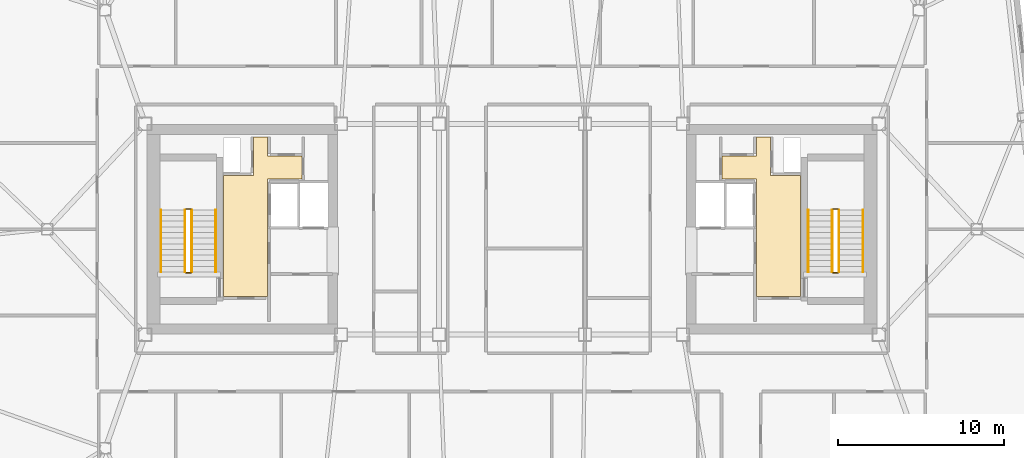
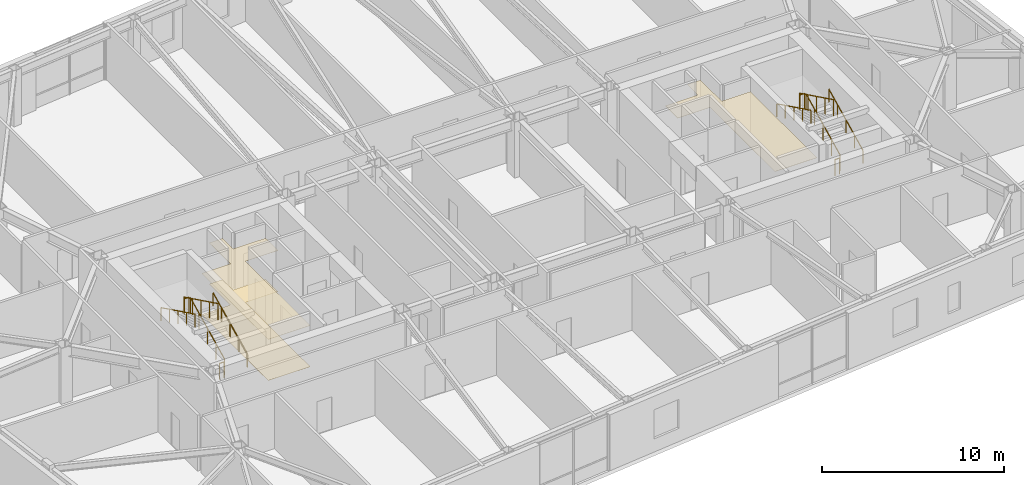
# One storey, part 21 of 21: 12 railings, 3 coverings.
"""IFC4 building model written with IfcOpenShell, lengths in metres."""

from ifc_helpers import new_model, si_unit, direction, frame, origin, origin_2d, place, context, subcontext, project, spatial, polyline, rectangle, outline, extrude, material, layer, layer_set, type_object, element, save


model = new_model("IFC4")

# Units and contexts
model_context = context("Model", 3, precision=1e-05, world=origin(), true_north=direction((0.0, 1.0)))
body_context = subcontext(model_context, "Body", "Model", "MODEL_VIEW")
ifc_project = project(units=[si_unit("LENGTHUNIT", "METRE"), si_unit("AREAUNIT", "SQUARE_METRE"), si_unit("VOLUMEUNIT", "CUBIC_METRE"), si_unit("PLANEANGLEUNIT", "RADIAN"), si_unit("MASSUNIT", "GRAM", prefix="KILO")], contexts=[model_context])

# Site, building, storey
site_placement = place(None, origin())
site = spatial("IfcSite", under=ifc_project, at=site_placement, CompositionType="ELEMENT")
building_placement = place(site_placement, origin())
building = spatial("IfcBuilding", under=site, at=building_placement, Name="Tavrogorsk Clinical Tower", CompositionType="ELEMENT")
storey_placement = place(building_placement, frame((0.0, 0.0, 247.0)))
storey = spatial("IfcBuildingStorey", under=building, at=storey_placement, Name="L57", CompositionType="ELEMENT", Elevation=247.0)

# Coverings
ifc_material_1 = material(Name="Antibacterial micro-perforated aluminium ceiling", Category="aluminium")
ifc_layer_1 = layer(ifc_material_1, 0.014892578125)
ifc_layer_set_1 = layer_set([ifc_layer_1], Name="Antibacterial micro-perforated aluminium ceiling")
covering_type_1 = type_object("IfcCoveringType", Name="ClinicalCeiling_15", PredefinedType="CEILING", material=ifc_layer_set_1)
covering_1_placement = place(storey_placement, frame((0.0, 0.0, 2.75)))
element("IfcCovering", 1, at=covering_1_placement, inside=storey, type_object=covering_type_1, Name="Core West Firefighting Lift Lobby Acoustic Ceiling", PredefinedType="CEILING", context=body_context, shape_type="SweptSolid", body=[
    extrude(outline(polyline([(-17.3798828125, -4.06005859375), (-17.3798828125, 3.239990234375), (-15.56005859375, 3.239990234375), (-15.56005859375, 5.56005859375), (-14.719970703125, 5.56005859375), (-14.719970703125, 4.39990234375), (-12.659912109375, 4.39990234375), (-12.659912109375, 3.0400390625), (-14.719970703125, 3.0400390625), (-14.719970703125, -4.06005859375), (-17.3798828125, -4.06005859375)])), origin(), (0.0, 0.0, 1.0), 0.014892578125),
])
covering_2_placement = place(storey_placement, frame((0.0, 0.0, 2.75)))
element("IfcCovering", 2, at=covering_2_placement, inside=storey, type_object=covering_type_1, Name="Core East Firefighting Lift Lobby Acoustic Ceiling", PredefinedType="CEILING", context=body_context, shape_type="SweptSolid", body=[
    extrude(outline(polyline([(14.719970703125, 3.0400390625), (12.659912109375, 3.0400390625), (12.659912109375, 4.39990234375), (14.719970703125, 4.39990234375), (14.719970703125, 5.56005859375), (15.56005859375, 5.56005859375), (15.56005859375, 3.239990234375), (17.3798828125, 3.239990234375), (17.3798828125, -4.06005859375), (14.719970703125, -4.06005859375), (14.719970703125, 3.0400390625)])), origin(), (0.0, 0.0, 1.0), 0.014892578125),
])
ifc_material_2 = material(Name="Homogeneous medical conductive PVC flooring")
ifc_layer_2 = layer(ifc_material_2, 0.008056640625)
ifc_layer_set_2 = layer_set([ifc_layer_2], Name="Homogeneous medical conductive PVC flooring")
covering_type_2 = type_object("IfcCoveringType", Name="ResilientVinylFloor_8", PredefinedType="FLOORING", material=ifc_layer_set_2)
covering_3_placement = place(storey_placement, origin())
element("IfcCovering", 3, at=covering_3_placement, inside=storey, type_object=covering_type_2, Name="Core West Firefighting Lift Lobby Conductive Vinyl Flooring", PredefinedType="FLOORING", context=body_context, shape_type="SweptSolid", body=[
    extrude(outline(polyline([(-17.3798828125, -4.06005859375), (-17.3798828125, 3.239990234375), (-15.56005859375, 3.239990234375), (-15.56005859375, 5.56005859375), (-14.719970703125, 5.56005859375), (-14.719970703125, 4.39990234375), (-12.659912109375, 4.39990234375), (-12.659912109375, 3.0400390625), (-14.719970703125, 3.0400390625), (-14.719970703125, -4.06005859375), (-17.3798828125, -4.06005859375)])), origin(), (0.0, 0.0, 1.0), 0.008056640625),
])

# Railings
ifc_material_3 = material(Name="Galvanised steel S355 safety stairwell guard", Category="steel")
ifc_layer_3 = layer(ifc_material_3, 0.06005859375)
ifc_layer_set_3 = layer_set([ifc_layer_3], Name="Galvanised steel S355 safety stairwell guard")
railing_type_1 = type_object("IfcRailingType", Name="StairGuard_1150", PredefinedType="GUARDRAIL", material=ifc_layer_set_3)
railing_1_placement = place(storey_placement, frame((-19.300048828125, -2.574951171875, 0.166748046875)))
element("IfcRailing", 4, at=railing_1_placement, inside=storey, type_object=railing_type_1, Name="L57 ST-W stair guard 1", PredefinedType="GUARDRAIL", context=body_context, shape_type="SweptSolid", body=[
    extrude(rectangle(XDim=0.048095703125, YDim=0.048095703125, at=origin_2d()), frame((0.0, 0.0, 1.076171875), z_axis=(0.0, 0.897927990467, 0.440142390523), x_axis=(-1.0, 0.0, 0.0)), (0.0, 0.0, 1.0), 4.1650390625),
    extrude(rectangle(XDim=0.0419921875, YDim=0.0419921875, at=origin_2d()), origin(), (0.0, 0.0, 1.0), 1.052001953125),
    extrude(rectangle(XDim=0.0419921875, YDim=0.0419921875, at=origin_2d()), frame((0.0, 0.93505859375, 0.458251953125)), (0.0, 0.0, 1.0), 1.052001953125),
    extrude(rectangle(XDim=0.0419921875, YDim=0.0419921875, at=origin_2d()), frame((0.0, 1.8701171875, 0.91650390625)), (0.0, 0.0, 1.0), 1.052001953125),
    extrude(rectangle(XDim=0.0419921875, YDim=0.0419921875, at=origin_2d()), frame((0.0, 2.804931640625, 1.375)), (0.0, 0.0, 1.0), 1.052001953125),
    extrude(rectangle(XDim=0.0419921875, YDim=0.0419921875, at=origin_2d()), frame((0.0, 3.739990234375, 1.833251953125)), (0.0, 0.0, 1.0), 1.052001953125),
])
railing_2_placement = place(storey_placement, frame((-19.35009765625, 1.215087890625, 2.0)))
element("IfcRailing", 5, at=railing_2_placement, inside=storey, type_object=railing_type_1, Name="L57 ST-W stair guard 2", PredefinedType="GUARDRAIL", context=body_context, shape_type="SweptSolid", body=[
    extrude(rectangle(XDim=0.048095703125, YDim=0.048095703125, at=origin_2d()), frame((0.0, 0.0, 1.076171875), z_axis=(-1.0, 0.0, 0.0), x_axis=(0.0, -1.0, 0.0)), (0.0, 0.0, 1.0), 0.2998046875),
    extrude(rectangle(XDim=0.0419921875, YDim=0.0419921875, at=origin_2d()), origin(), (0.0, 0.0, 1.0), 1.052001953125),
    extrude(rectangle(XDim=0.0419921875, YDim=0.0419921875, at=origin_2d()), frame((-0.2998046875, 0.0, 0.0)), (0.0, 0.0, 1.0), 1.052001953125),
])
railing_3_placement = place(storey_placement, frame((-19.699951171875, 1.1650390625, 2.166748046875)))
element("IfcRailing", 6, at=railing_3_placement, inside=storey, type_object=railing_type_1, Name="L57 ST-W stair guard 3", PredefinedType="GUARDRAIL", context=body_context, shape_type="SweptSolid", body=[
    extrude(rectangle(XDim=0.048095703125, YDim=0.048095703125, at=origin_2d()), frame((0.0, 0.0, 1.076171875), z_axis=(0.0, -0.897927990467, 0.440142390523), x_axis=(1.0, 0.0, 0.0)), (0.0, 0.0, 1.0), 4.1650390625),
    extrude(rectangle(XDim=0.0419921875, YDim=0.0419921875, at=origin_2d()), origin(), (0.0, 0.0, 1.0), 1.052001953125),
    extrude(rectangle(XDim=0.0419921875, YDim=0.0419921875, at=origin_2d()), frame((0.0, -0.93505859375, 0.458251953125)), (0.0, 0.0, 1.0), 1.052001953125),
    extrude(rectangle(XDim=0.0419921875, YDim=0.0419921875, at=origin_2d()), frame((0.0, -1.8701171875, 0.91650390625)), (0.0, 0.0, 1.0), 1.052001953125),
    extrude(rectangle(XDim=0.0419921875, YDim=0.0419921875, at=origin_2d()), frame((0.0, -2.804931640625, 1.375)), (0.0, 0.0, 1.0), 1.052001953125),
    extrude(rectangle(XDim=0.0419921875, YDim=0.0419921875, at=origin_2d()), frame((0.0, -3.739990234375, 1.833251953125)), (0.0, 0.0, 1.0), 1.052001953125),
])
railing_4_placement = place(storey_placement, frame((-19.35009765625, -2.625, 0.0)))
element("IfcRailing", 7, at=railing_4_placement, inside=storey, type_object=railing_type_1, Name="L57 ST-W stair guard 4", PredefinedType="GUARDRAIL", context=body_context, shape_type="SweptSolid", body=[
    extrude(rectangle(XDim=0.048095703125, YDim=0.048095703125, at=origin_2d()), frame((0.0, 0.0, 1.076171875), z_axis=(-1.0, 0.0, 0.0), x_axis=(0.0, -1.0, 0.0)), (0.0, 0.0, 1.0), 0.2998046875),
    extrude(rectangle(XDim=0.0419921875, YDim=0.0419921875, at=origin_2d()), origin(), (0.0, 0.0, 1.0), 1.052001953125),
    extrude(rectangle(XDim=0.0419921875, YDim=0.0419921875, at=origin_2d()), frame((-0.2998046875, 0.0, 0.0)), (0.0, 0.0, 1.0), 1.052001953125),
])
railing_5_placement = place(storey_placement, frame((19.699951171875, -2.574951171875, 0.166748046875)))
element("IfcRailing", 8, at=railing_5_placement, inside=storey, type_object=railing_type_1, Name="L57 ST-E stair guard 1", PredefinedType="GUARDRAIL", context=body_context, shape_type="SweptSolid", body=[
    extrude(rectangle(XDim=0.048095703125, YDim=0.048095703125, at=origin_2d()), frame((0.0, 0.0, 1.076171875), z_axis=(0.0, 0.897927990467, 0.440142390523), x_axis=(-1.0, 0.0, 0.0)), (0.0, 0.0, 1.0), 4.1650390625),
    extrude(rectangle(XDim=0.0419921875, YDim=0.0419921875, at=origin_2d()), origin(), (0.0, 0.0, 1.0), 1.052001953125),
    extrude(rectangle(XDim=0.0419921875, YDim=0.0419921875, at=origin_2d()), frame((0.0, 0.93505859375, 0.458251953125)), (0.0, 0.0, 1.0), 1.052001953125),
    extrude(rectangle(XDim=0.0419921875, YDim=0.0419921875, at=origin_2d()), frame((0.0, 1.8701171875, 0.91650390625)), (0.0, 0.0, 1.0), 1.052001953125),
    extrude(rectangle(XDim=0.0419921875, YDim=0.0419921875, at=origin_2d()), frame((0.0, 2.804931640625, 1.375)), (0.0, 0.0, 1.0), 1.052001953125),
    extrude(rectangle(XDim=0.0419921875, YDim=0.0419921875, at=origin_2d()), frame((0.0, 3.739990234375, 1.833251953125)), (0.0, 0.0, 1.0), 1.052001953125),
])
railing_6_placement = place(storey_placement, frame((19.64990234375, 1.215087890625, 2.0)))
element("IfcRailing", 9, at=railing_6_placement, inside=storey, type_object=railing_type_1, Name="L57 ST-E stair guard 2", PredefinedType="GUARDRAIL", context=body_context, shape_type="SweptSolid", body=[
    extrude(rectangle(XDim=0.048095703125, YDim=0.048095703125, at=origin_2d()), frame((0.0, 0.0, 1.076171875), z_axis=(-1.0, 0.0, 0.0), x_axis=(0.0, -1.0, 0.0)), (0.0, 0.0, 1.0), 0.2998046875),
    extrude(rectangle(XDim=0.0419921875, YDim=0.0419921875, at=origin_2d()), origin(), (0.0, 0.0, 1.0), 1.052001953125),
    extrude(rectangle(XDim=0.0419921875, YDim=0.0419921875, at=origin_2d()), frame((-0.2998046875, 0.0, 0.0)), (0.0, 0.0, 1.0), 1.052001953125),
])
railing_7_placement = place(storey_placement, frame((19.300048828125, 1.1650390625, 2.166748046875)))
element("IfcRailing", 10, at=railing_7_placement, inside=storey, type_object=railing_type_1, Name="L57 ST-E stair guard 3", PredefinedType="GUARDRAIL", context=body_context, shape_type="SweptSolid", body=[
    extrude(rectangle(XDim=0.048095703125, YDim=0.048095703125, at=origin_2d()), frame((0.0, 0.0, 1.076171875), z_axis=(0.0, -0.897927990467, 0.440142390523), x_axis=(1.0, 0.0, 0.0)), (0.0, 0.0, 1.0), 4.1650390625),
    extrude(rectangle(XDim=0.0419921875, YDim=0.0419921875, at=origin_2d()), origin(), (0.0, 0.0, 1.0), 1.052001953125),
    extrude(rectangle(XDim=0.0419921875, YDim=0.0419921875, at=origin_2d()), frame((0.0, -0.93505859375, 0.458251953125)), (0.0, 0.0, 1.0), 1.052001953125),
    extrude(rectangle(XDim=0.0419921875, YDim=0.0419921875, at=origin_2d()), frame((0.0, -1.8701171875, 0.91650390625)), (0.0, 0.0, 1.0), 1.052001953125),
    extrude(rectangle(XDim=0.0419921875, YDim=0.0419921875, at=origin_2d()), frame((0.0, -2.804931640625, 1.375)), (0.0, 0.0, 1.0), 1.052001953125),
    extrude(rectangle(XDim=0.0419921875, YDim=0.0419921875, at=origin_2d()), frame((0.0, -3.739990234375, 1.833251953125)), (0.0, 0.0, 1.0), 1.052001953125),
])
railing_8_placement = place(storey_placement, frame((19.64990234375, -2.625, 0.0)))
element("IfcRailing", 11, at=railing_8_placement, inside=storey, type_object=railing_type_1, Name="L57 ST-E stair guard 4", PredefinedType="GUARDRAIL", context=body_context, shape_type="SweptSolid", body=[
    extrude(rectangle(XDim=0.048095703125, YDim=0.048095703125, at=origin_2d()), frame((0.0, 0.0, 1.076171875), z_axis=(-1.0, 0.0, 0.0), x_axis=(0.0, -1.0, 0.0)), (0.0, 0.0, 1.0), 0.2998046875),
    extrude(rectangle(XDim=0.0419921875, YDim=0.0419921875, at=origin_2d()), origin(), (0.0, 0.0, 1.0), 1.052001953125),
    extrude(rectangle(XDim=0.0419921875, YDim=0.0419921875, at=origin_2d()), frame((-0.2998046875, 0.0, 0.0)), (0.0, 0.0, 1.0), 1.052001953125),
])
ifc_material_4 = material(Name="Stainless steel AISI 304 tubular handrail", Category="steel")
ifc_layer_4 = layer(ifc_material_4, 0.050048828125)
ifc_layer_set_4 = layer_set([ifc_layer_4], Name="Stainless steel AISI 304 tubular handrail")
railing_type_2 = type_object("IfcRailingType", Name="StairHandrail_920", PredefinedType="HANDRAIL", material=ifc_layer_set_4)
railing_9_placement = place(storey_placement, frame((-17.85009765625, -2.574951171875, 0.166748046875)))
element("IfcRailing", 12, at=railing_9_placement, inside=storey, type_object=railing_type_2, Name="L57 ST-W stair handrail 1", PredefinedType="HANDRAIL", context=body_context, shape_type="SweptSolid", body=[
    extrude(rectangle(XDim=0.048095703125, YDim=0.048095703125, at=origin_2d()), frame((0.0, 0.0, 0.8759765625), z_axis=(0.0, 0.897927990467, 0.440142390523), x_axis=(-1.0, 0.0, 0.0)), (0.0, 0.0, 1.0), 4.1650390625),
    extrude(rectangle(XDim=0.0419921875, YDim=0.0419921875, at=origin_2d()), origin(), (0.0, 0.0, 1.0), 0.851806640625),
    extrude(rectangle(XDim=0.0419921875, YDim=0.0419921875, at=origin_2d()), frame((0.0, 0.93505859375, 0.458251953125)), (0.0, 0.0, 1.0), 0.851806640625),
    extrude(rectangle(XDim=0.0419921875, YDim=0.0419921875, at=origin_2d()), frame((0.0, 1.8701171875, 0.91650390625)), (0.0, 0.0, 1.0), 0.851806640625),
    extrude(rectangle(XDim=0.0419921875, YDim=0.0419921875, at=origin_2d()), frame((0.0, 2.804931640625, 1.375)), (0.0, 0.0, 1.0), 0.851806640625),
    extrude(rectangle(XDim=0.0419921875, YDim=0.0419921875, at=origin_2d()), frame((0.0, 3.739990234375, 1.833251953125)), (0.0, 0.0, 1.0), 0.851806640625),
])
railing_10_placement = place(storey_placement, frame((-21.14990234375, 1.1650390625, 2.166748046875)))
element("IfcRailing", 13, at=railing_10_placement, inside=storey, type_object=railing_type_2, Name="L57 ST-W stair handrail 2", PredefinedType="HANDRAIL", context=body_context, shape_type="SweptSolid", body=[
    extrude(rectangle(XDim=0.048095703125, YDim=0.048095703125, at=origin_2d()), frame((0.0, 0.0, 0.8759765625), z_axis=(0.0, -0.897927990467, 0.440142390523), x_axis=(1.0, 0.0, 0.0)), (0.0, 0.0, 1.0), 4.1650390625),
    extrude(rectangle(XDim=0.0419921875, YDim=0.0419921875, at=origin_2d()), origin(), (0.0, 0.0, 1.0), 0.851806640625),
    extrude(rectangle(XDim=0.0419921875, YDim=0.0419921875, at=origin_2d()), frame((0.0, -0.93505859375, 0.458251953125)), (0.0, 0.0, 1.0), 0.851806640625),
    extrude(rectangle(XDim=0.0419921875, YDim=0.0419921875, at=origin_2d()), frame((0.0, -1.8701171875, 0.91650390625)), (0.0, 0.0, 1.0), 0.851806640625),
    extrude(rectangle(XDim=0.0419921875, YDim=0.0419921875, at=origin_2d()), frame((0.0, -2.804931640625, 1.375)), (0.0, 0.0, 1.0), 0.851806640625),
    extrude(rectangle(XDim=0.0419921875, YDim=0.0419921875, at=origin_2d()), frame((0.0, -3.739990234375, 1.833251953125)), (0.0, 0.0, 1.0), 0.851806640625),
])
railing_11_placement = place(storey_placement, frame((21.14990234375, -2.574951171875, 0.166748046875)))
element("IfcRailing", 14, at=railing_11_placement, inside=storey, type_object=railing_type_2, Name="L57 ST-E stair handrail 1", PredefinedType="HANDRAIL", context=body_context, shape_type="SweptSolid", body=[
    extrude(rectangle(XDim=0.048095703125, YDim=0.048095703125, at=origin_2d()), frame((0.0, 0.0, 0.8759765625), z_axis=(0.0, 0.897927990467, 0.440142390523), x_axis=(-1.0, 0.0, 0.0)), (0.0, 0.0, 1.0), 4.1650390625),
    extrude(rectangle(XDim=0.0419921875, YDim=0.0419921875, at=origin_2d()), origin(), (0.0, 0.0, 1.0), 0.851806640625),
    extrude(rectangle(XDim=0.0419921875, YDim=0.0419921875, at=origin_2d()), frame((0.0, 0.93505859375, 0.458251953125)), (0.0, 0.0, 1.0), 0.851806640625),
    extrude(rectangle(XDim=0.0419921875, YDim=0.0419921875, at=origin_2d()), frame((0.0, 1.8701171875, 0.91650390625)), (0.0, 0.0, 1.0), 0.851806640625),
    extrude(rectangle(XDim=0.0419921875, YDim=0.0419921875, at=origin_2d()), frame((0.0, 2.804931640625, 1.375)), (0.0, 0.0, 1.0), 0.851806640625),
    extrude(rectangle(XDim=0.0419921875, YDim=0.0419921875, at=origin_2d()), frame((0.0, 3.739990234375, 1.833251953125)), (0.0, 0.0, 1.0), 0.851806640625),
])
railing_12_placement = place(storey_placement, frame((17.85009765625, 1.1650390625, 2.166748046875)))
element("IfcRailing", 15, at=railing_12_placement, inside=storey, type_object=railing_type_2, Name="L57 ST-E stair handrail 2", PredefinedType="HANDRAIL", context=body_context, shape_type="SweptSolid", body=[
    extrude(rectangle(XDim=0.048095703125, YDim=0.048095703125, at=origin_2d()), frame((0.0, 0.0, 0.8759765625), z_axis=(0.0, -0.897927990467, 0.440142390523), x_axis=(1.0, 0.0, 0.0)), (0.0, 0.0, 1.0), 4.1650390625),
    extrude(rectangle(XDim=0.0419921875, YDim=0.0419921875, at=origin_2d()), origin(), (0.0, 0.0, 1.0), 0.851806640625),
    extrude(rectangle(XDim=0.0419921875, YDim=0.0419921875, at=origin_2d()), frame((0.0, -0.93505859375, 0.458251953125)), (0.0, 0.0, 1.0), 0.851806640625),
    extrude(rectangle(XDim=0.0419921875, YDim=0.0419921875, at=origin_2d()), frame((0.0, -1.8701171875, 0.91650390625)), (0.0, 0.0, 1.0), 0.851806640625),
    extrude(rectangle(XDim=0.0419921875, YDim=0.0419921875, at=origin_2d()), frame((0.0, -2.804931640625, 1.375)), (0.0, 0.0, 1.0), 0.851806640625),
    extrude(rectangle(XDim=0.0419921875, YDim=0.0419921875, at=origin_2d()), frame((0.0, -3.739990234375, 1.833251953125)), (0.0, 0.0, 1.0), 0.851806640625),
])

save(model, "model.ifc")
